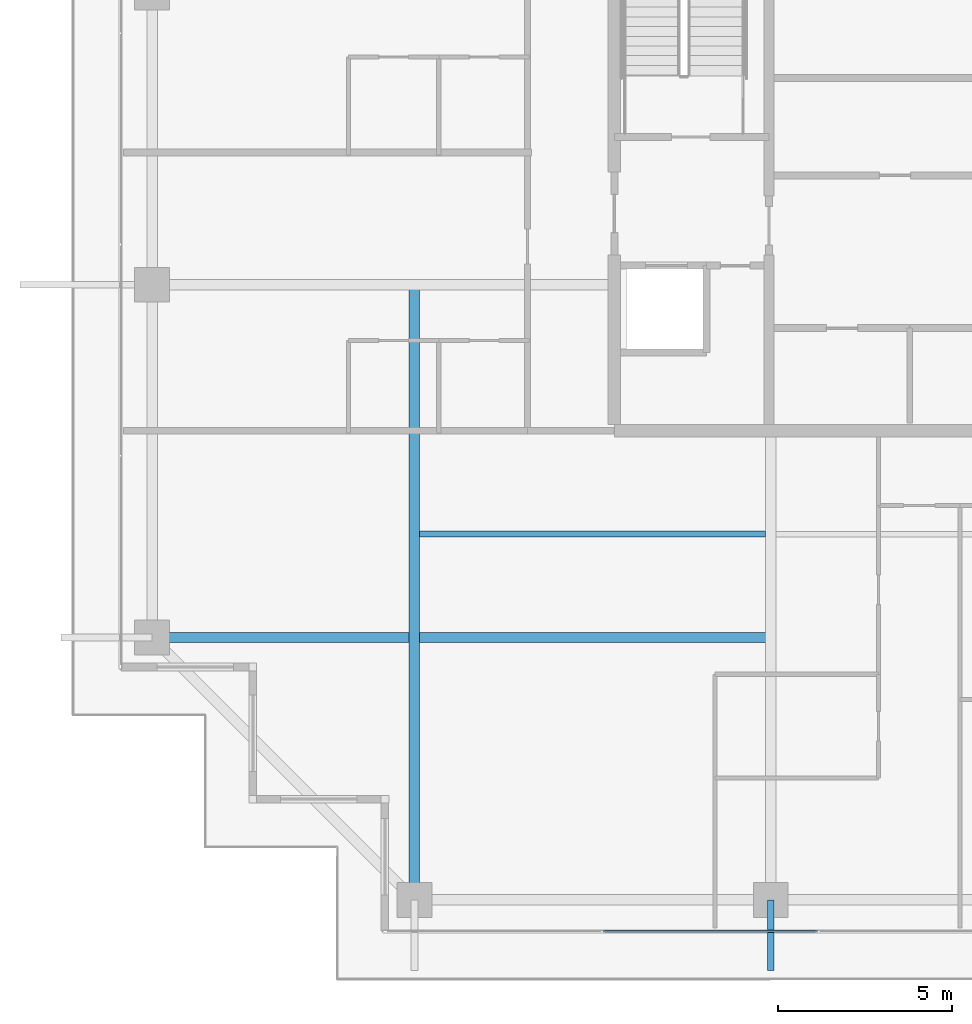
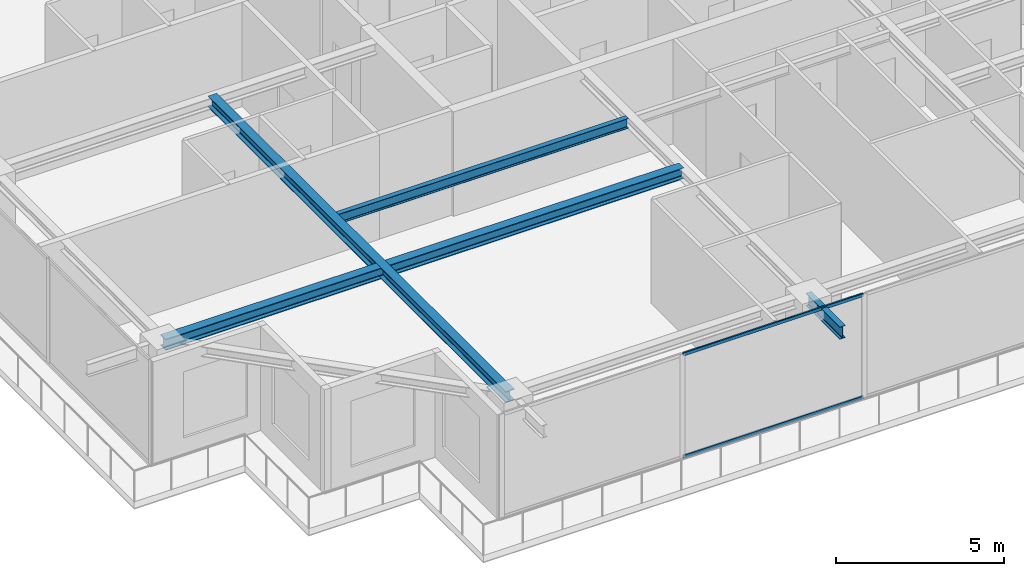
# One storey, part 5 of 39: 4 beams, 2 members, 1 element without a shape of its own.
"""IFC4 building model written with IfcOpenShell, lengths in metres."""

from ifc_helpers import new_model, si_unit, direction, frame, origin, origin_2d, place, context, subcontext, project, spatial, hollow_rectangle, i_section, extrude, source, transform, mapped, material, layer, layer_set, material_profile, profile_set, type_object, element, aggregate, save


model = new_model("IFC4")

# Units and contexts
model_context = context("Model", 3, precision=1e-05, world=origin(), true_north=direction((0.0, 1.0)))
body_context = subcontext(model_context, "Body", "Model", "MODEL_VIEW")
ifc_project = project(units=[si_unit("LENGTHUNIT", "METRE"), si_unit("AREAUNIT", "SQUARE_METRE"), si_unit("VOLUMEUNIT", "CUBIC_METRE"), si_unit("PLANEANGLEUNIT", "RADIAN"), si_unit("MASSUNIT", "GRAM", prefix="KILO")], contexts=[model_context])

# Site, building, storey
site_placement = place(None, origin())
site = spatial("IfcSite", under=ifc_project, at=site_placement, CompositionType="ELEMENT")
building_placement = place(site_placement, origin())
building = spatial("IfcBuilding", under=site, at=building_placement, Name="Serunith Strait Residences", CompositionType="ELEMENT")
storey_placement = place(building_placement, frame((0.0, 0.0, 329.89990234375)))
storey = spatial("IfcBuildingStorey", under=building, at=storey_placement, Name="L82", CompositionType="ELEMENT", Elevation=329.89990234375)

# Beams
ifc_material_1 = material(Name="Steel S355J2", Category="steel")
ifc_material_profile_1 = material_profile(ifc_material_1, i_section(OverallWidth=0.169921875, OverallDepth=0.360107421875, WebThickness=0.008056640625, FlangeThickness=0.0126953125, FilletRadius=0.01806640625, at=origin_2d()), Name="IPE 360")
ifc_profile_set_1 = profile_set([ifc_material_profile_1], Name="Steel S355J2")
beam_type_1 = type_object("IfcBeamType", Name="BM-IPE360", PredefinedType="JOIST", material=ifc_profile_set_1)
shared_shape_1 = source(origin(), body_context, "Body", "SweptSolid", [
    extrude(i_section(OverallWidth=0.169921875, OverallDepth=0.360107421875, WebThickness=0.008056640625, FlangeThickness=0.0126953125, FilletRadius=0.01806640625, at=origin_2d()), origin(), (0.0, 0.0, 1.0), 9.949951171875),
])
beam_1_placement = place(storey_placement, frame((17.800048828125, 13.824951171875, 3.607177734375), z_axis=(1.0, 0.0, 0.0), x_axis=(0.0, 1.0, 0.0)))
element("IfcBeam", 1, at=beam_1_placement, inside=storey, type_object=beam_type_1, Name="L82 Composite Floor Joist 01", PredefinedType="JOIST", context=body_context, shape_type="MappedRepresentation", body=[
    mapped(shared_shape_1, transform((0.0, 0.0, 0.0), scale=1.0)),
])
ifc_material_profile_2 = material_profile(ifc_material_1, i_section(OverallWidth=0.300048828125, OverallDepth=0.39990234375, WebThickness=0.013427734375, FlangeThickness=0.02392578125, FilletRadius=0.027099609375, at=origin_2d()), Name="HEB 400")
ifc_profile_set_2 = profile_set([ifc_material_profile_2], Name="Steel S355J2")
beam_type_2 = type_object("IfcBeamType", Name="BM-HEB400", PredefinedType="BEAM", material=ifc_profile_set_2)
shared_shape_2 = source(origin(), body_context, "Body", "SweptSolid", [
    extrude(i_section(OverallWidth=0.300048828125, OverallDepth=0.39990234375, WebThickness=0.013427734375, FlangeThickness=0.02392578125, FilletRadius=0.027099609375, at=origin_2d()), origin(), (0.0, 0.0, 1.0), 17.699951171875),
])
beam_2_placement = place(storey_placement, frame((17.64990234375, 21.0, 3.587158203125), z_axis=(0.0, -1.0, 0.0), x_axis=(1.0, 0.0, 0.0)))
element("IfcBeam", 2, at=beam_2_placement, inside=storey, type_object=beam_type_2, Name="L82 Orthogonal Corner Girder TC-S1", PredefinedType="BEAM", context=body_context, shape_type="MappedRepresentation", body=[
    mapped(shared_shape_2, transform((0.0, 0.0, 0.0), scale=1.0)),
])
shared_shape_3 = source(origin(), body_context, "Body", "SweptSolid", [
    extrude(i_section(OverallWidth=0.300048828125, OverallDepth=0.39990234375, WebThickness=0.013427734375, FlangeThickness=0.02392578125, FilletRadius=0.027099609375, at=origin_2d()), origin(), (0.0, 0.0, 1.0), 17.7998046875),
])
beam_3_placement = place(storey_placement, frame((27.89990234375, 10.85009765625, 3.587158203125), z_axis=(-1.0, 0.0, 0.0), x_axis=(0.0, -1.0, 0.0)))
element("IfcBeam", 3, at=beam_3_placement, inside=storey, type_object=beam_type_2, Name="L82 Orthogonal Corner Girder TC-W1", PredefinedType="BEAM", context=body_context, shape_type="MappedRepresentation", body=[
    mapped(shared_shape_3, transform((0.0, 0.0, 0.0), scale=1.0)),
])
ifc_material_profile_3 = material_profile(ifc_material_1, i_section(OverallWidth=0.18994140625, OverallDepth=0.449951171875, WebThickness=0.009521484375, FlangeThickness=0.0146484375, FilletRadius=0.02099609375, at=origin_2d()), Name="IPE 450")
ifc_profile_set_3 = profile_set([ifc_material_profile_3], Name="Steel S355J2")
beam_type_3 = type_object("IfcBeamType", Name="BM-IPE450", PredefinedType="JOIST", material=ifc_profile_set_3)
shared_shape_4 = source(origin(), body_context, "Body", "SweptSolid", [
    extrude(i_section(OverallWidth=0.18994140625, OverallDepth=0.449951171875, WebThickness=0.009521484375, FlangeThickness=0.0146484375, FilletRadius=0.02099609375, at=origin_2d()), origin(), (0.0, 0.0, 1.0), 2.030029296875),
])
beam_4_placement = place(storey_placement, frame((27.89990234375, 3.300048828125, 3.531982421875), z_axis=(0.0, -1.0, 0.0), x_axis=(1.0, 0.0, 0.0)))
element("IfcBeam", 4, at=beam_4_placement, inside=storey, type_object=beam_type_3, Name="L83 Cantilevered Balcony Rib TC-S2", PredefinedType="JOIST", context=body_context, shape_type="MappedRepresentation", body=[
    mapped(shared_shape_4, transform((0.0, 0.0, 0.0), scale=1.0)),
])

# Curtain wall, members
ifc_material_2 = material(Name="Brushed Stainless-Silver Aluminium", Category="aluminium")
ifc_layer = layer(ifc_material_2, 0.199951171875, Name="Brushed Stainless-Silver Aluminium")
ifc_layer_set = layer_set([ifc_layer], Name="Brushed Stainless-Silver Aluminium")
curtain_wall_type = type_object("IfcCurtainWallType", Name="CW-SYS5", PredefinedType="NOTDEFINED", material=ifc_layer_set)
curtain_wall_placement = place(storey_placement, origin())
curtain_wall = element("IfcCurtainWall", 5, at=curtain_wall_placement, inside=storey, type_object=curtain_wall_type, Name="L82 S Unitised Fritted Curtain Wall", PredefinedType="NOTDEFINED")
ifc_material_profile_4 = material_profile(ifc_material_2, hollow_rectangle(XDim=0.06005859375, YDim=0.1201171875, WallThickness=0.00341796875, InnerFilletRadius=0.00537109375, OuterFilletRadius=0.0087890625, at=origin_2d()), Name="ALU 120x60x3.5")
ifc_profile_set_4 = profile_set([ifc_material_profile_4], Name="Brushed Stainless-Silver Aluminium")
member_type = type_object("IfcMemberType", Name="CW-SYS5-TRAN", PredefinedType="USERDEFINED", material=ifc_profile_set_4)
shared_shape_5 = source(origin(), body_context, "Body", "SweptSolid", [
    extrude(hollow_rectangle(XDim=0.06005859375, YDim=0.1201171875, WallThickness=0.00341796875, InnerFilletRadius=0.00537109375, OuterFilletRadius=0.0087890625, at=origin_2d()), origin(), (0.0, 0.0, 1.0), 6.175048828125),
])
member_1_placement = place(storey_placement, frame((23.072509765625, 2.39990234375, 0.030029296875), z_axis=(1.0, 0.0, 0.0), x_axis=(0.0, 1.0, 0.0)))
member_1 = element("IfcMember", 6, at=member_1_placement, type_object=member_type, Name="CW-5 transom 2.1", ObjectType="TRANSOM", PredefinedType="USERDEFINED", context=body_context, shape_type="MappedRepresentation", body=[
    mapped(shared_shape_5, transform((0.0, 0.0, 0.0), scale=1.0)),
])
member_2_placement = place(storey_placement, frame((23.072509765625, 2.39990234375, 3.7451171875), z_axis=(1.0, 0.0, 0.0), x_axis=(0.0, 1.0, 0.0)))
member_2 = element("IfcMember", 7, at=member_2_placement, type_object=member_type, Name="CW-5 transom 2.2", ObjectType="TRANSOM", PredefinedType="USERDEFINED", context=body_context, shape_type="MappedRepresentation", body=[
    mapped(shared_shape_5, transform((0.0, 0.0, 0.0), scale=1.0)),
])
aggregate(curtain_wall, [member_1, member_2])

save(model, "model.ifc")
